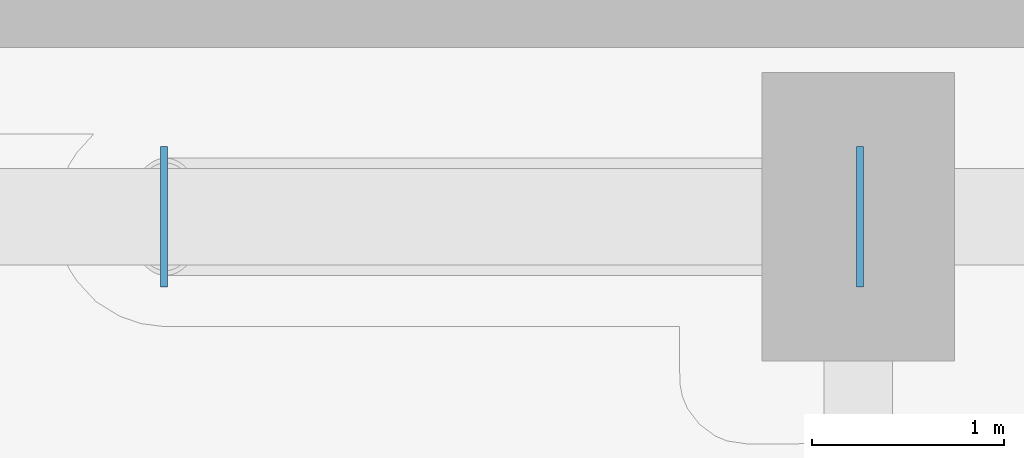
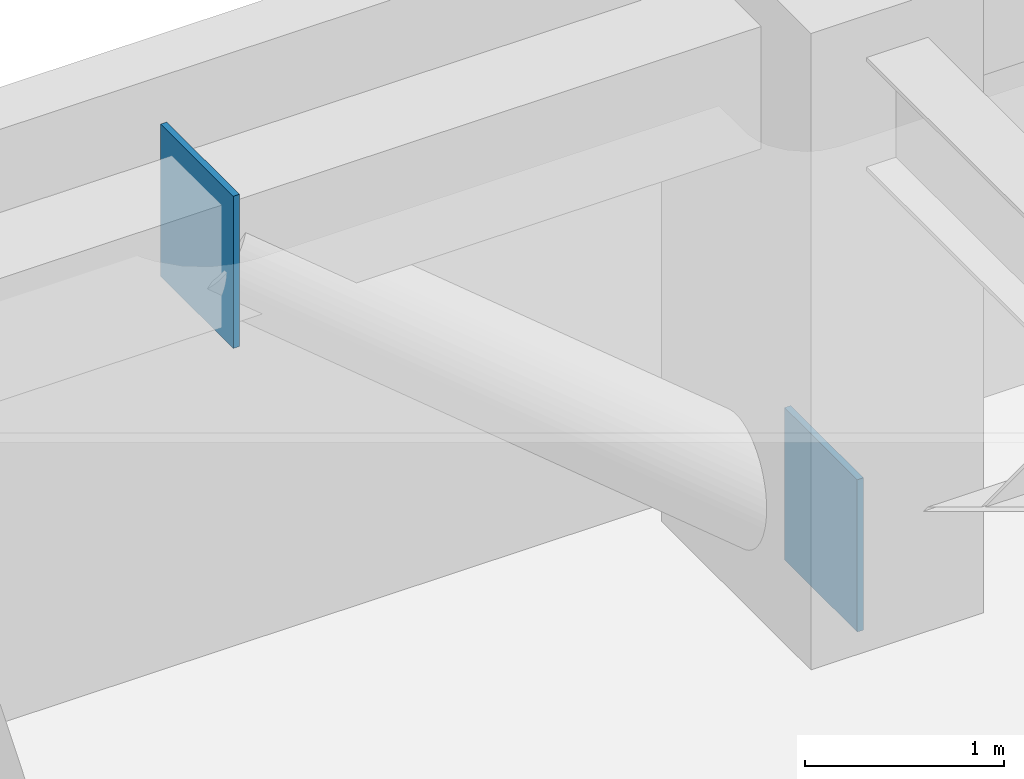
# One storey, part 21 of 29: 2 plates.
"""IFC4 building model written with IfcOpenShell, lengths in metres."""

from ifc_helpers import new_model, si_unit, direction, frame, origin, origin_2d, place, context, subcontext, project, spatial, rectangle, extrude, material, layer, layer_set, type_object, element, save


model = new_model("IFC4")

# Units and contexts
model_context = context("Model", 3, precision=1e-05, world=origin(), true_north=direction((0.0, 1.0)))
body_context = subcontext(model_context, "Body", "Model", "MODEL_VIEW")
ifc_project = project(units=[si_unit("LENGTHUNIT", "METRE"), si_unit("AREAUNIT", "SQUARE_METRE"), si_unit("VOLUMEUNIT", "CUBIC_METRE"), si_unit("PLANEANGLEUNIT", "RADIAN"), si_unit("MASSUNIT", "GRAM", prefix="KILO")], contexts=[model_context])

# Site, building, storey
site_placement = place(None, origin())
site = spatial("IfcSite", under=ifc_project, at=site_placement, CompositionType="ELEMENT")
building_placement = place(site_placement, origin())
building = spatial("IfcBuilding", under=site, at=building_placement, Name="Kiyonajd Concourse Tower", CompositionType="ELEMENT")
storey_placement = place(building_placement, frame((0.0, 0.0, 48.89990234375)))
storey = spatial("IfcBuildingStorey", under=building, at=storey_placement, Name="L13", CompositionType="ELEMENT", Elevation=48.89990234375)

# Plates
ifc_material = material(Name="Steel ASTM A572 Grade 50", Category="steel")
ifc_layer = layer(ifc_material, 0.028076171875)
ifc_layer_set = layer_set([ifc_layer], Name="Steel ASTM A572 Grade 50")
plate_type = type_object("IfcPlateType", Name="PL-CAP-450", PredefinedType="USERDEFINED", material=ifc_layer_set)
for number, where, z_axis, x_axis, name in (
    (1, (63.6083984375, 61.199951171875, -0.17333984375), (0.0, 0.0, 1.0), (1.0, 0.0, 0.0), "L13 Hollow Brace End Cap Plate PBN"),
    (2, (59.991455078125, 61.199951171875, 2.83056640625), (0.0, 0.0, 1.0), (-1.0, 0.0, 0.0), "L13 Hollow Brace Top Cap Plate PBN"),
):
    element("IfcPlate", number, at=place(storey_placement, frame(where, z_axis=z_axis, x_axis=x_axis)), inside=storey, type_object=plate_type, Name=name, ObjectType="CAP PLATE", PredefinedType="USERDEFINED", context=body_context, shape_type="SweptSolid", body=[
        extrude(rectangle(XDim=0.035888671875, YDim=0.72998046875, at=origin_2d()), origin(), (0.0, 0.0, 1.0), 0.93310546875),
    ])

save(model, "model.ifc")
